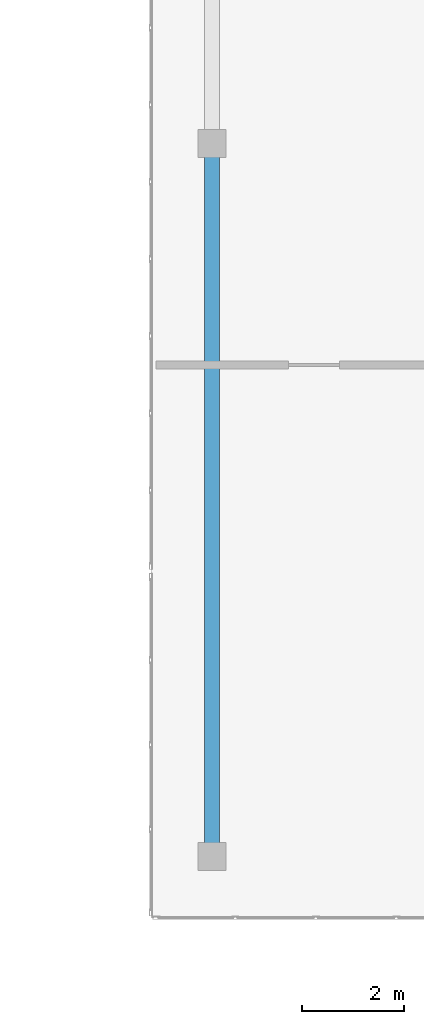
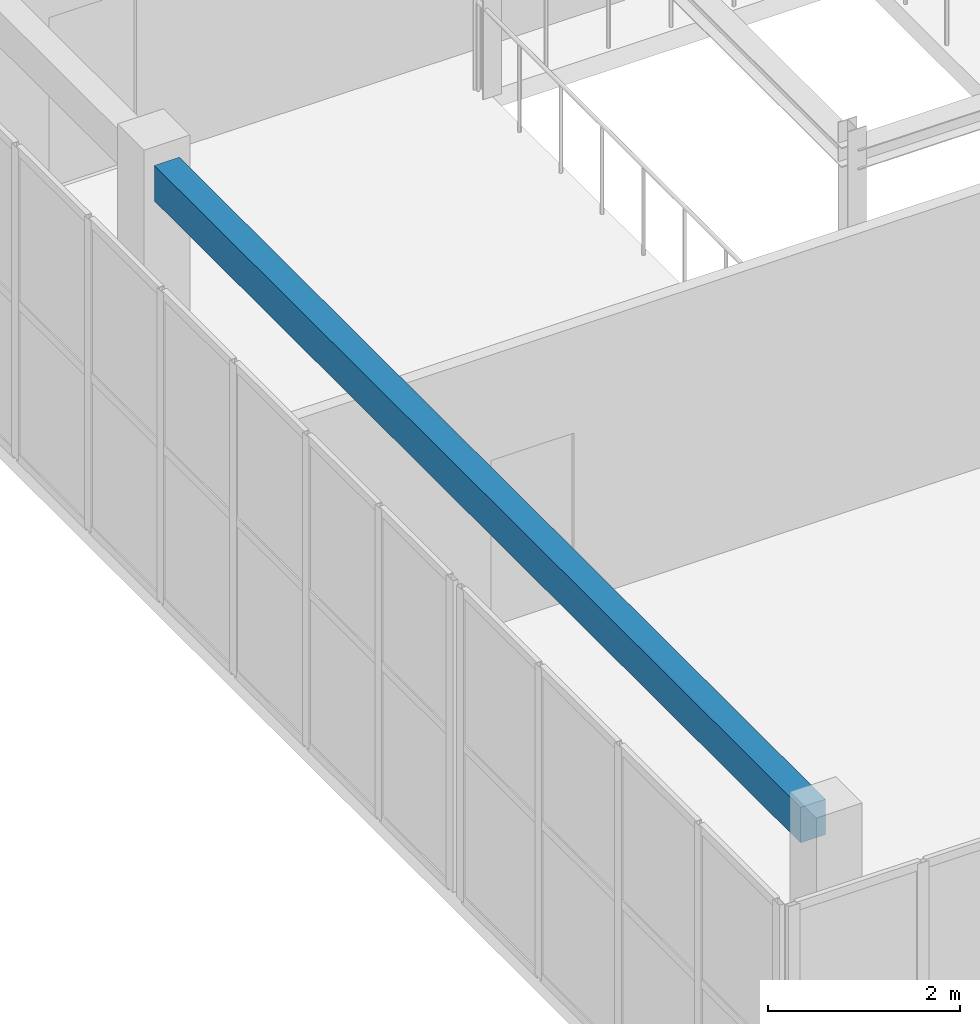
# One storey, part 18 of 81: 1 beam.
"""IFC4 building model written with IfcOpenShell, lengths in metres."""

from ifc_helpers import new_model, si_unit, direction, frame, origin, origin_2d, place, context, subcontext, project, spatial, rectangle, extrude, material, material_profile, profile_set, type_object, element, save


model = new_model("IFC4")

# Units and contexts
model_context = context("Model", 3, precision=1e-05, world=origin(), true_north=direction((0.0, 1.0)))
body_context = subcontext(model_context, "Body", "Model", "MODEL_VIEW")
ifc_project = project(units=[si_unit("LENGTHUNIT", "METRE"), si_unit("AREAUNIT", "SQUARE_METRE"), si_unit("VOLUMEUNIT", "CUBIC_METRE"), si_unit("PLANEANGLEUNIT", "RADIAN"), si_unit("MASSUNIT", "GRAM", prefix="KILO")], contexts=[model_context])

# Site, building, storey
site_placement = place(None, origin())
site = spatial("IfcSite", under=ifc_project, at=site_placement, CompositionType="ELEMENT")
building_placement = place(site_placement, origin())
building = spatial("IfcBuilding", under=site, at=building_placement, Name="Trelvath General Hospital", CompositionType="ELEMENT")
storey_placement = place(building_placement, frame((0.0, 0.0, 24.60009765625)))
storey = spatial("IfcBuildingStorey", under=building, at=storey_placement, Name="L06", CompositionType="ELEMENT", Elevation=24.60009765625)

# Beam
ifc_material = material(Name="Concrete C35/45", Category="concrete")
ifc_material_profile = material_profile(ifc_material, rectangle(XDim=0.300048828125, YDim=0.449951171875, at=origin_2d()), Name="RCB300x450")
ifc_profile_set = profile_set([ifc_material_profile], Name="Concrete C35/45")
beam_type = type_object("IfcBeamType", Name="Beam RC300x450", PredefinedType="BEAM", material=ifc_profile_set)
beam_placement = place(storey_placement, frame((60.800048828125, 45.071044921875, 3.73486328125), z_axis=(0.0, 1.0, 0.0), x_axis=(-1.0, 0.0, 0.0)))
element("IfcBeam", 1, at=beam_placement, inside=storey, type_object=beam_type, Name="Cube Interior Ring Beam CUBE-W-T2 L06", PredefinedType="BEAM", context=body_context, shape_type="SweptSolid", body=[
    extrude(rectangle(XDim=0.300048828125, YDim=0.449951171875, at=origin_2d()), origin(), (0.0, 0.0, 1.0), 13.4580078125),
])

save(model, "model.ifc")
